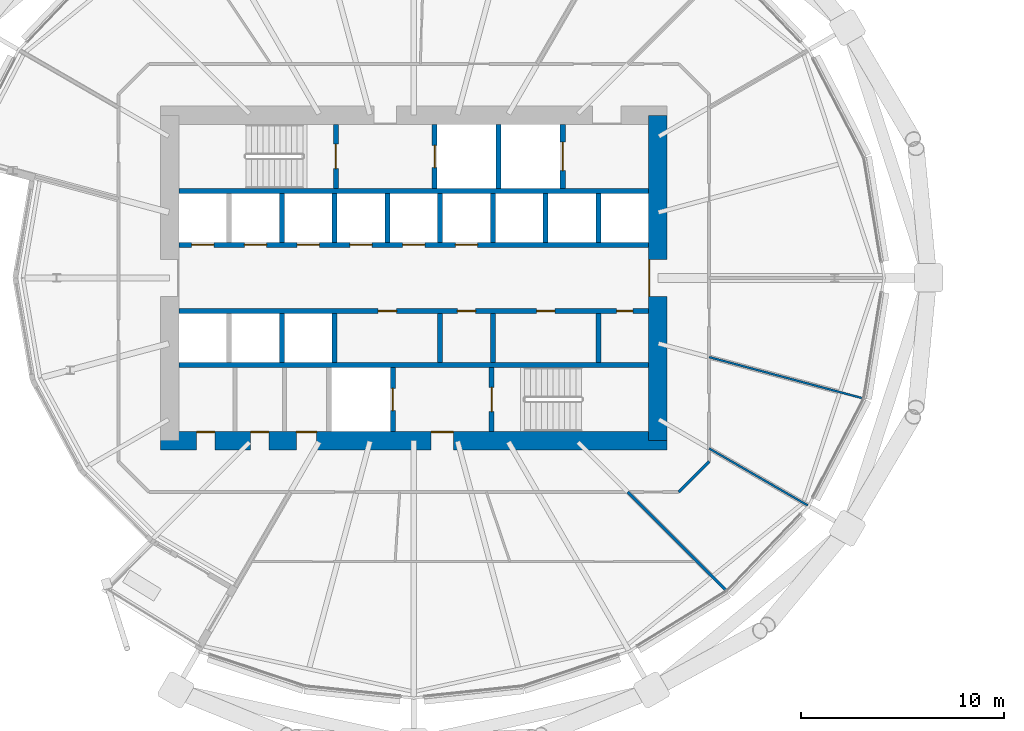
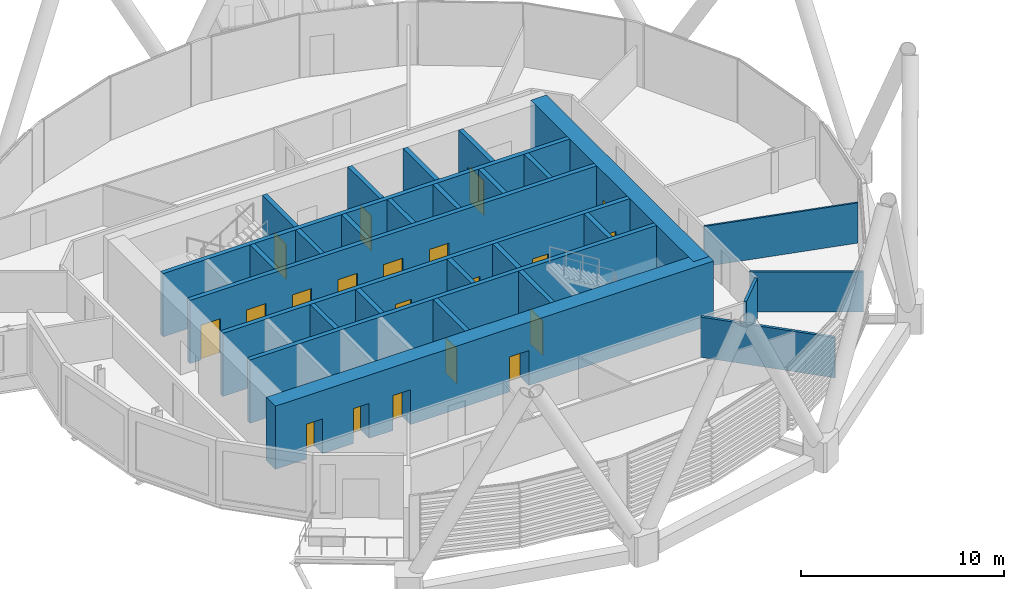
# One storey, part 25 of 40: 28 walls, 20 doors, 20 openings.
"""IFC4 building model written with IfcOpenShell, lengths in metres."""

import ifcopenshell
import ifcopenshell.guid

model = None  # the IFC model being written
_history = None  # IfcOwnerHistory: only IFC2X3 demands one
_inside = {}  # id of a spatial element -> (the spatial element, [elements in it])
_under = {}  # id of a project, library or spatial element -> (it, [spatial elements below it])
_declared = {}  # id of a project -> (the project, [libraries it declares])
_typed = {}  # id of a type object -> (the type object, [elements of that type])
_made_of = {}  # id of a material, layer set ... -> (it, [elements and type objects made of it])


def new_model(schema):
    """Start an empty IFC model of exactly this schema.

    Asked for "IFC4X3", IfcOpenShell would pick the latest addendum, in which some entities
    have other attributes; the version numbers below select the first issue.
    IFC2X3 requires an IfcOwnerHistory on every rooted entity: one is made here for all.
    """
    global model, _history
    if schema == "IFC4X3":
        model = ifcopenshell.file(schema_version=(4, 3, 0, 0))
    else:
        model = ifcopenshell.file(schema=schema)
    _inside.clear()
    _under.clear()
    _declared.clear()
    _typed.clear()
    _made_of.clear()
    _history = None
    if model.schema == "IFC2X3":
        org = make("IfcOrganization", Name="unknown")
        user = make(
            "IfcPersonAndOrganization",
            ThePerson=make("IfcPerson", FamilyName="unknown"),
            TheOrganization=org,
        )
        app = make(
            "IfcApplication",
            ApplicationDeveloper=org,
            Version="unknown",
            ApplicationFullName="unknown",
            ApplicationIdentifier="unknown",
        )
        _history = make(
            "IfcOwnerHistory",
            OwningUser=user,
            OwningApplication=app,
            ChangeAction="ADDED",
            CreationDate=0,
        )
    return model


def make(cls, **values):
    """One entity of the class cls with the attributes given. An attribute that is None is left unset."""
    return model.create_entity(
        cls, **{name: value for name, value in values.items() if value is not None}
    )


def rooted(cls, **values):
    """An entity with a GlobalId (a new one), such as an element, a storey or a relation."""
    return make(cls, GlobalId=ifcopenshell.guid.new(), OwnerHistory=_history, **values)


def si_unit(unit_type, name, prefix=None):
    """IfcSIUnit, for example si_unit("LENGTHUNIT", "METRE", prefix="MILLI")."""
    return make("IfcSIUnit", UnitType=unit_type, Prefix=prefix, Name=name)


def assignment(units):
    """IfcUnitAssignment: the units of a project."""
    return None if units is None else make("IfcUnitAssignment", Units=units)


def point(xyz):
    """IfcCartesianPoint."""
    return None if xyz is None else make("IfcCartesianPoint", Coordinates=xyz)


def direction(xyz):
    """IfcDirection."""
    return None if xyz is None else make("IfcDirection", DirectionRatios=xyz)


def frame(location, z_axis=None, x_axis=None):
    """IfcAxis2Placement3D, a coordinate frame: its origin and axes. An axis left out is left unset."""
    return make(
        "IfcAxis2Placement3D",
        Location=point(location),
        Axis=direction(z_axis),
        RefDirection=direction(x_axis),
    )


def frame_2d(location, x_axis=None):
    """IfcAxis2Placement2D, a coordinate frame in the plane: its origin and x axis."""
    return make(
        "IfcAxis2Placement2D", Location=point(location), RefDirection=direction(x_axis)
    )


def origin():
    """The frame at (0, 0, 0) with its axes left unset."""
    return frame((0.0, 0.0, 0.0))


def place(relative_to, where):
    """IfcLocalPlacement: puts the frame where relative to a parent placement (None: the world)."""
    return make(
        "IfcLocalPlacement", PlacementRelTo=relative_to, RelativePlacement=where
    )


def context(
    kind, dimensions, precision=None, world=None, true_north=None, identifier=None
):
    """IfcGeometricRepresentationContext, for example the 3D "Model" context."""
    return make(
        "IfcGeometricRepresentationContext",
        ContextIdentifier=identifier,
        ContextType=kind,
        CoordinateSpaceDimension=dimensions,
        Precision=precision,
        WorldCoordinateSystem=world,
        TrueNorth=true_north,
    )


def subcontext(parent, identifier, kind, view, scale=None):
    """IfcGeometricRepresentationSubContext, for example "Body" below "Model"."""
    return make(
        "IfcGeometricRepresentationSubContext",
        ContextIdentifier=identifier,
        ContextType=kind,
        ParentContext=parent,
        TargetScale=scale,
        TargetView=view,
    )


def project(units=None, contexts=None):
    """IfcProject with its units and contexts."""
    return rooted(
        "IfcProject",
        Name="project",
        RepresentationContexts=contexts,
        UnitsInContext=assignment(units),
    )


def spatial(cls, under=None, at=None, **own):
    """A site, building, storey or space (cls), placed at a placement, below another one or the project."""
    s = rooted(cls, ObjectPlacement=at, **own)
    if under is not None:
        _under.setdefault(under.id(), (under, []))[1].append(s)
    return s


def profile(cls, at=None, kind="AREA", **sizes):
    """A parametric profile (cls). Its sizes go by their IFC names, for example OverallWidth=200.0."""
    return make(cls, ProfileType=kind, Position=at, **sizes)


def rectangle(**sizes):
    """IfcRectangleProfileDef."""
    return profile("IfcRectangleProfileDef", **sizes)


def extrude(swept, where, along, depth):
    """IfcExtrudedAreaSolid: the profile swept, set in the frame where, extruded along a direction by depth."""
    return make(
        "IfcExtrudedAreaSolid",
        SweptArea=swept,
        Position=where,
        ExtrudedDirection=direction(along),
        Depth=depth,
    )


def shape(context_of_items, identifier, shape_type, items):
    """IfcShapeRepresentation: the items that make up one representation, for example the "Body"."""
    return make(
        "IfcShapeRepresentation",
        ContextOfItems=context_of_items,
        RepresentationIdentifier=identifier,
        RepresentationType=shape_type,
        Items=items,
    )


def material(Name=None, Category=None):
    """IfcMaterial."""
    return make("IfcMaterial", Name=Name, Category=Category)


def layer(
    of_material, thickness, ventilated=None, Name=None, Category=None, Priority=None
):
    """IfcMaterialLayer: one layer of a wall or slab, of a material (None: an air gap)."""
    return make(
        "IfcMaterialLayer",
        Material=of_material,
        LayerThickness=thickness,
        IsVentilated=ventilated,
        Name=Name,
        Category=Category,
        Priority=Priority,
    )


def layer_set(layers, Name=None):
    """IfcMaterialLayerSet."""
    return make("IfcMaterialLayerSet", MaterialLayers=layers, LayerSetName=Name)


def made_of(thing, what):
    """Note that an element or type object is made of a material, layer set ...; save() writes the relation."""
    if what is not None:
        _made_of.setdefault(what.id(), (what, []))[1].append(thing)
    return thing


def type_object(cls, material=None, **own):
    """A type object (cls), such as IfcWallType, which elements share."""
    return made_of(rooted(cls, **own), material)


def element(
    cls,
    number,
    at=None,
    inside=None,
    cuts=None,
    type_object=None,
    material=None,
    context=None,
    identifier="Body",
    shape_type=None,
    held_by="IfcProductDefinitionShape",
    body=None,
    shapes=None,
    **own,
):
    """One element of the class cls, such as IfcWall. Its Tag is "e" and its number.

    at: its placement. inside: the storey or other place that contains it. cuts: it is an
    opening in that element (IfcRelVoidsElement). A single representation is given by context,
    identifier, shape_type and body (its items); several are given by shapes. held_by: the class
    of the entity that holds the representations. save() writes the other relations.
    """
    e = rooted(cls, Tag="e%d" % number, ObjectPlacement=at, **own)
    if body is not None:
        shapes = [shape(context, identifier, shape_type, body)]
    if shapes is not None:
        e.Representation = make(held_by, Representations=shapes)
    if inside is not None:
        _inside.setdefault(inside.id(), (inside, []))[1].append(e)
    if cuts is not None:
        rooted(
            "IfcRelVoidsElement", RelatingBuildingElement=cuts, RelatedOpeningElement=e
        )
    if type_object is not None:
        _typed.setdefault(type_object.id(), (type_object, []))[1].append(e)
    return made_of(e, material)


def fill(opening, filler):
    """IfcRelFillsElement: the door or window that sits in an opening."""
    return rooted(
        "IfcRelFillsElement",
        RelatingOpeningElement=opening,
        RelatedBuildingElement=filler,
    )


def aggregate(whole, parts):
    """IfcRelAggregates: a whole, such as a stair, and the parts it consists of."""
    return rooted("IfcRelAggregates", RelatingObject=whole, RelatedObjects=parts)


def save(model, path):
    """Write the relations noted so far, then the file.

    IfcRelAggregates (storeys below a building ...), IfcRelContainedInSpatialStructure (elements
    in a storey), IfcRelDefinesByType, IfcRelAssociatesMaterial and IfcRelDeclares: one each for
    every whole, place, type object, material and project.
    """
    for whole, parts in _under.values():
        aggregate(whole, parts)
    for where, things in _inside.values():
        rooted(
            "IfcRelContainedInSpatialStructure",
            RelatedElements=things,
            RelatingStructure=where,
        )
    for kind, things in _typed.values():
        rooted("IfcRelDefinesByType", RelatedObjects=things, RelatingType=kind)
    for what, things in _made_of.values():
        rooted("IfcRelAssociatesMaterial", RelatedObjects=things, RelatingMaterial=what)
    for by, libraries in _declared.values():
        rooted("IfcRelDeclares", RelatingContext=by, RelatedDefinitions=libraries)
    model.write(path)


model = new_model("IFC4")

# Units and contexts
model_context = context("Model", 3, precision=1e-05, world=origin(), true_north=direction((0.0, 1.0)))
body_context = subcontext(model_context, "Body", "Model", "MODEL_VIEW")
ifc_project = project(units=[si_unit("LENGTHUNIT", "METRE"), si_unit("AREAUNIT", "SQUARE_METRE"), si_unit("VOLUMEUNIT", "CUBIC_METRE"), si_unit("PLANEANGLEUNIT", "RADIAN"), si_unit("MASSUNIT", "GRAM", prefix="KILO")], contexts=[model_context])

# Site, building, storey
site_placement = place(None, origin())
site = spatial("IfcSite", under=ifc_project, at=site_placement, CompositionType="ELEMENT")
building_placement = place(site_placement, origin())
building = spatial("IfcBuilding", under=site, at=building_placement, Name="Rimbun Link Towers", CompositionType="ELEMENT")
storey_placement = place(building_placement, frame((0.0, 0.0, 52.800048828125)))
storey = spatial("IfcBuildingStorey", under=building, at=storey_placement, Name="L12", CompositionType="ELEMENT", Elevation=52.800048828125)

# Wall, openings, doors
ifc_material_1 = material(Name="Concrete C60/75", Category="concrete")
ifc_layer_1 = layer(ifc_material_1, 0.89990234375)
ifc_layer_set_1 = layer_set([ifc_layer_1], Name="Core shear wall 900")
wall_type_1 = type_object("IfcWallType", Name="Core shear wall 900", PredefinedType="SHEAR", material=ifc_layer_set_1)
wall_1_placement = place(storey_placement, frame((-44.199951171875, -8.0, 0.0), z_axis=(0.0, 0.0, 1.0), x_axis=(1.0, 0.0, 0.0)))
wall_1 = element("IfcWall", 1, at=wall_1_placement, inside=storey, type_object=wall_type_1, Name="L12 T1 core wall S", PredefinedType="SHEAR", context=body_context, shape_type="SweptSolid", body=[
    extrude(rectangle(XDim=24.89990234375, YDim=0.89990234375, at=frame_2d((12.449951171875, 0.0))), origin(), (0.0, 0.0, 1.0), 3.800048828125),
])
opening_1_placement = place(wall_1_placement, frame((13.300048828125, 0.0, 0.0)))
opening_1 = element("IfcOpeningElement", 2, at=opening_1_placement, cuts=wall_1, Name="Opening C1DCF01S", PredefinedType="OPENING", context=body_context, shape_type="SweptSolid", body=[
    extrude(rectangle(XDim=1.10009765625, YDim=2.10009765625, at=frame_2d((0.550048828125, 1.050048828125))), frame((0.0, 0.4599609375, 0.0), z_axis=(0.0, -1.0, 0.0), x_axis=(1.0, 0.0, 0.0)), (0.0, 0.0, 1.0), 0.919921875),
])
opening_2_placement = place(wall_1_placement, frame((1.77490234375, 0.0, 0.0)))
opening_2 = element("IfcOpeningElement", 3, at=opening_2_placement, cuts=wall_1, Name="Opening C1DWC02S", PredefinedType="OPENING", context=body_context, shape_type="SweptSolid", body=[
    extrude(rectangle(XDim=0.89990234375, YDim=2.10009765625, at=frame_2d((0.449951171875, 1.050048828125))), frame((0.0, 0.4599609375, 0.0), z_axis=(0.0, -1.0, 0.0), x_axis=(1.0, 0.0, 0.0)), (0.0, 0.0, 1.0), 0.919921875),
])
opening_3_placement = place(wall_1_placement, frame((4.425048828125, 0.0, 0.0)))
opening_3 = element("IfcOpeningElement", 4, at=opening_3_placement, cuts=wall_1, Name="Opening C1DWC03S", PredefinedType="OPENING", context=body_context, shape_type="SweptSolid", body=[
    extrude(rectangle(XDim=0.89990234375, YDim=2.10009765625, at=frame_2d((0.449951171875, 1.050048828125))), frame((0.0, 0.4599609375, 0.0), z_axis=(0.0, -1.0, 0.0), x_axis=(1.0, 0.0, 0.0)), (0.0, 0.0, 1.0), 0.919921875),
])
opening_4_placement = place(wall_1_placement, frame((6.675048828125, 0.0, 0.0)))
opening_4 = element("IfcOpeningElement", 5, at=opening_4_placement, cuts=wall_1, Name="Opening C1DAW04S", PredefinedType="OPENING", context=body_context, shape_type="SweptSolid", body=[
    extrude(rectangle(XDim=1.0, YDim=2.10009765625, at=frame_2d((0.5, 1.050048828125))), frame((0.0, 0.4599609375, 0.0), z_axis=(0.0, -1.0, 0.0), x_axis=(1.0, 0.0, 0.0)), (0.0, 0.0, 1.0), 0.919921875),
])
ifc_material_2 = material(Name="Timber", Category="wood")
door_type_1 = type_object("IfcDoorType", Name="Accessible WC door", OperationType="SINGLE_SWING_LEFT", PredefinedType="DOOR", material=ifc_material_2)
door_1_placement = place(opening_4_placement, origin())
door_1 = element("IfcDoor", 6, at=door_1_placement, inside=storey, type_object=door_type_1, Name="L12 T1 accessible wc door", OperationType="SINGLE_SWING_LEFT", OverallHeight=2.10009765625, OverallWidth=1.0, PredefinedType="DOOR", context=body_context, shape_type="SweptSolid", body=[
    extrude(rectangle(XDim=1.0, YDim=2.10009765625, at=frame_2d((0.5, 1.050048828125))), frame((0.0, 0.4501953125, 0.0), z_axis=(0.0, -1.0, 0.0), x_axis=(1.0, 0.0, 0.0)), (0.0, 0.0, 1.0), 0.050048828125),
])
fill(opening_4, door_1)
ifc_material_3 = material(Name="Steel fire door set", Category="steel")
door_type_2 = type_object("IfcDoorType", Name="Core fire door single", OperationType="SINGLE_SWING_LEFT", PredefinedType="DOOR", material=ifc_material_3)
door_2_placement = place(opening_1_placement, origin())
door_2 = element("IfcDoor", 7, at=door_2_placement, inside=storey, type_object=door_type_2, Name="L12 T1 firefighting lobby s door", OperationType="SINGLE_SWING_RIGHT", OverallHeight=2.10009765625, OverallWidth=1.10009765625, PredefinedType="DOOR", context=body_context, shape_type="SweptSolid", body=[
    extrude(rectangle(XDim=1.10009765625, YDim=2.10009765625, at=frame_2d((0.550048828125, 1.050048828125))), frame((0.0, 0.4501953125, 0.0), z_axis=(0.0, -1.0, 0.0), x_axis=(1.0, 0.0, 0.0)), (0.0, 0.0, 1.0), 0.050048828125),
])
fill(opening_1, door_2)
ifc_material_4 = material(Name="Timber", Category="wood")
door_type_3 = type_object("IfcDoorType", Name="WC door", OperationType="SINGLE_SWING_LEFT", PredefinedType="DOOR", material=ifc_material_4)
door_3_placement = place(opening_2_placement, origin())
door_3 = element("IfcDoor", 8, at=door_3_placement, inside=storey, type_object=door_type_3, Name="L12 T1 male wc door", OperationType="SINGLE_SWING_RIGHT", OverallHeight=2.10009765625, OverallWidth=0.89990234375, PredefinedType="DOOR", context=body_context, shape_type="SweptSolid", body=[
    extrude(rectangle(XDim=0.89990234375, YDim=2.10009765625, at=frame_2d((0.449951171875, 1.050048828125))), frame((0.0, 0.4501953125, 0.0), z_axis=(0.0, -1.0, 0.0), x_axis=(1.0, 0.0, 0.0)), (0.0, 0.0, 1.0), 0.050048828125),
])
fill(opening_2, door_3)
door_4_placement = place(opening_3_placement, origin())
door_4 = element("IfcDoor", 9, at=door_4_placement, inside=storey, type_object=door_type_3, Name="L12 T1 female wc door", OperationType="SINGLE_SWING_RIGHT", OverallHeight=2.10009765625, OverallWidth=0.89990234375, PredefinedType="DOOR", context=body_context, shape_type="SweptSolid", body=[
    extrude(rectangle(XDim=0.89990234375, YDim=2.10009765625, at=frame_2d((0.449951171875, 1.050048828125))), frame((0.0, 0.4501953125, 0.0), z_axis=(0.0, -1.0, 0.0), x_axis=(1.0, 0.0, 0.0)), (0.0, 0.0, 1.0), 0.050048828125),
])
fill(opening_3, door_4)

# Wall, opening, door
wall_2_placement = place(storey_placement, frame((-19.75, -8.0, 0.0), z_axis=(0.0, 0.0, 1.0), x_axis=(0.0, 1.0, 0.0)))
wall_2 = element("IfcWall", 10, at=wall_2_placement, inside=storey, type_object=wall_type_1, Name="L12 T1 core wall E", PredefinedType="SHEAR", context=body_context, shape_type="SweptSolid", body=[
    extrude(rectangle(XDim=16.0, YDim=0.89990234375, at=frame_2d((8.0, 0.0))), origin(), (0.0, 0.0, 1.0), 3.800048828125),
])
opening_5_placement = place(wall_2_placement, frame((7.10009765625, 0.0, 0.0)))
opening_5 = element("IfcOpeningElement", 11, at=opening_5_placement, cuts=wall_2, Name="Opening C1DCL01E", PredefinedType="OPENING", context=body_context, shape_type="SweptSolid", body=[
    extrude(rectangle(XDim=1.800048828125, YDim=2.10009765625, at=frame_2d((0.89990234375, 1.050048828125))), frame((0.0, 0.4599609375, 0.0), z_axis=(0.0, -1.0, 0.0), x_axis=(1.0, 0.0, 0.0)), (0.0, 0.0, 1.0), 0.919921875),
])
ifc_material_5 = material(Name="Steel fire door set", Category="steel")
door_type_4 = type_object("IfcDoorType", Name="Core lobby door double", OperationType="DOUBLE_DOOR_SINGLE_SWING", PredefinedType="DOOR", material=ifc_material_5)
door_5_placement = place(opening_5_placement, origin())
door_5 = element("IfcDoor", 12, at=door_5_placement, inside=storey, type_object=door_type_4, Name="L12 T1 lift lobby door", OperationType="DOUBLE_DOOR_SINGLE_SWING", OverallHeight=2.10009765625, OverallWidth=1.800048828125, PredefinedType="DOOR", context=body_context, shape_type="SweptSolid", body=[
    extrude(rectangle(XDim=1.800048828125, YDim=2.10009765625, at=frame_2d((0.89990234375, 1.050048828125))), frame((0.0, 0.4501953125, 0.0), z_axis=(0.0, -1.0, 0.0), x_axis=(1.0, 0.0, 0.0)), (0.0, 0.0, 1.0), 0.050048828125),
])
fill(opening_5, door_5)

# Walls
ifc_material_6 = material(Name="Plasterboard on steel stud, mineral wool", Category="steel")
ifc_layer_2 = layer(ifc_material_6, 0.14990234375)
ifc_layer_set_2 = layer_set([ifc_layer_2], Name="Corridor wall EI 30 150 mm")
wall_type_2 = type_object("IfcWallType", Name="Corridor wall EI 30 150 mm", PredefinedType="PARTITIONING", material=ifc_layer_set_2)
wall_3_placement = place(storey_placement, frame((-18.723388671875, -10.52490234375, 0.0), z_axis=(0.0, 0.0, 1.0), x_axis=(0.707106781187, 0.707106781187, 0.0)))
element("IfcWall", 13, at=wall_3_placement, inside=storey, type_object=wall_type_2, Name="Corridor wall EI 30 150 mm", PredefinedType="PARTITIONING", context=body_context, shape_type="SweptSolid", body=[
    extrude(rectangle(XDim=2.118896484375, YDim=0.14990234375, at=frame_2d((1.0595703125, 0.0))), origin(), (0.0, 0.0, 1.0), 2.419921875),
])
ifc_material_7 = material(Name="Plasterboard on steel stud", Category="steel")
ifc_layer_3 = layer(ifc_material_7, 0.10009765625)
ifc_layer_set_3 = layer_set([ifc_layer_3], Name="Plasterboard partition 100 mm")
wall_type_3 = type_object("IfcWallType", Name="Plasterboard partition 100 mm", PredefinedType="PARTITIONING", material=ifc_layer_set_3)
wall_4_placement = place(storey_placement, frame((-12.37646484375, -11.185302734375, 0.0), z_axis=(0.0, 0.0, 1.0), x_axis=(-0.866028733576, 0.499994232587, 0.0)))
element("IfcWall", 14, at=wall_4_placement, inside=storey, type_object=wall_type_3, Name="Plasterboard partition 100 mm", PredefinedType="PARTITIONING", context=body_context, shape_type="SweptSolid", body=[
    extrude(rectangle(XDim=5.5986328125, YDim=0.10009765625, at=frame_2d((2.79931640625, 0.0))), origin(), (0.0, 0.0, 1.0), 2.419921875),
])
wall_5_placement = place(storey_placement, frame((-9.652587890625, -5.9208984375, 0.0), z_axis=(0.0, 0.0, 1.0), x_axis=(-0.965933456467, 0.258790567213, 0.0)))
element("IfcWall", 15, at=wall_5_placement, inside=storey, type_object=wall_type_3, Name="Plasterboard partition 100 mm", PredefinedType="PARTITIONING", context=body_context, shape_type="SweptSolid", body=[
    extrude(rectangle(XDim=7.839599609375, YDim=0.10009765625, at=frame_2d((3.919921875, 0.0))), origin(), (0.0, 0.0, 1.0), 2.419921875),
])
ifc_material_8 = material(Name="Concrete C60/75", Category="concrete")
ifc_layer_4 = layer(ifc_material_8, 0.25)
ifc_layer_set_4 = layer_set([ifc_layer_4], Name="Shaft wall 250")
wall_type_4 = type_object("IfcWallType", Name="Shaft wall 250", PredefinedType="SHEAR", material=ifc_layer_set_4)
for number, where, z_axis, x_axis, name in (
    (16, (-43.300048828125, 4.27490234375, 0.0), (0.0, 0.0, 1.0), (1.0, 0.0, 0.0), "L12 T1 core wall BN"),
    (17, (-43.300048828125, -4.27490234375, 0.0), (0.0, 0.0, 1.0), (1.0, 0.0, 0.0), "L12 T1 core wall BS"),
):
    element("IfcWall", number, at=place(storey_placement, frame(where, z_axis=z_axis, x_axis=x_axis)), inside=storey, type_object=wall_type_4, Name=name, PredefinedType="SHEAR", context=body_context, shape_type="SweptSolid", body=[
        extrude(rectangle(XDim=23.10009765625, YDim=0.25, at=frame_2d((11.550048828125, 0.0))), origin(), (0.0, 0.0, 1.0), 3.800048828125),
    ])

# Wall, openings, doors
wall_6_placement = place(storey_placement, frame((-43.300048828125, 1.625, 0.0), z_axis=(0.0, 0.0, 1.0), x_axis=(1.0, 0.0, 0.0)))
wall_6 = element("IfcWall", 18, at=wall_6_placement, inside=storey, type_object=wall_type_4, Name="L12 T1 core wall FN", PredefinedType="SHEAR", context=body_context, shape_type="SweptSolid", body=[
    extrude(rectangle(XDim=23.10009765625, YDim=0.25, at=frame_2d((11.550048828125, 0.0))), origin(), (0.0, 0.0, 1.0), 3.800048828125),
])
opening_6_placement = place(wall_6_placement, frame((0.622314453125, 0.0, 0.0)))
opening_6 = element("IfcOpeningElement", 19, at=opening_6_placement, cuts=wall_6, Name="Opening LD-T1-LR1", PredefinedType="OPENING", context=body_context, shape_type="SweptSolid", body=[
    extrude(rectangle(XDim=1.10009765625, YDim=2.10009765625, at=frame_2d((0.550048828125, 1.050048828125))), frame((0.0, 0.135009765625, 0.0), z_axis=(0.0, -1.0, 0.0), x_axis=(1.0, 0.0, 0.0)), (0.0, 0.0, 1.0), 0.27001953125),
])
opening_7_placement = place(wall_6_placement, frame((3.216796875, 0.0, 0.0)))
opening_7 = element("IfcOpeningElement", 20, at=opening_7_placement, cuts=wall_6, Name="Opening LD-T1-LR2", PredefinedType="OPENING", context=body_context, shape_type="SweptSolid", body=[
    extrude(rectangle(XDim=1.10009765625, YDim=2.10009765625, at=frame_2d((0.550048828125, 1.050048828125))), frame((0.0, 0.135009765625, 0.0), z_axis=(0.0, -1.0, 0.0), x_axis=(1.0, 0.0, 0.0)), (0.0, 0.0, 1.0), 0.27001953125),
])
opening_8_placement = place(wall_6_placement, frame((5.81103515625, 0.0, 0.0)))
opening_8 = element("IfcOpeningElement", 21, at=opening_8_placement, cuts=wall_6, Name="Opening LD-T1-LR3", PredefinedType="OPENING", context=body_context, shape_type="SweptSolid", body=[
    extrude(rectangle(XDim=1.10009765625, YDim=2.10009765625, at=frame_2d((0.550048828125, 1.050048828125))), frame((0.0, 0.135009765625, 0.0), z_axis=(0.0, -1.0, 0.0), x_axis=(1.0, 0.0, 0.0)), (0.0, 0.0, 1.0), 0.27001953125),
])
opening_9_placement = place(wall_6_placement, frame((8.405517578125, 0.0, 0.0)))
opening_9 = element("IfcOpeningElement", 22, at=opening_9_placement, cuts=wall_6, Name="Opening LD-T1-LR4", PredefinedType="OPENING", context=body_context, shape_type="SweptSolid", body=[
    extrude(rectangle(XDim=1.10009765625, YDim=2.10009765625, at=frame_2d((0.550048828125, 1.050048828125))), frame((0.0, 0.135009765625, 0.0), z_axis=(0.0, -1.0, 0.0), x_axis=(1.0, 0.0, 0.0)), (0.0, 0.0, 1.0), 0.27001953125),
])
opening_10_placement = place(wall_6_placement, frame((11.0, 0.0, 0.0)))
opening_10 = element("IfcOpeningElement", 23, at=opening_10_placement, cuts=wall_6, Name="Opening LD-T1-LR5", PredefinedType="OPENING", context=body_context, shape_type="SweptSolid", body=[
    extrude(rectangle(XDim=1.10009765625, YDim=2.10009765625, at=frame_2d((0.550048828125, 1.050048828125))), frame((0.0, 0.135009765625, 0.0), z_axis=(0.0, -1.0, 0.0), x_axis=(1.0, 0.0, 0.0)), (0.0, 0.0, 1.0), 0.27001953125),
])
opening_11_placement = place(wall_6_placement, frame((13.594482421875, 0.0, 0.0)))
opening_11 = element("IfcOpeningElement", 24, at=opening_11_placement, cuts=wall_6, Name="Opening LD-T1-LR6", PredefinedType="OPENING", context=body_context, shape_type="SweptSolid", body=[
    extrude(rectangle(XDim=1.10009765625, YDim=2.10009765625, at=frame_2d((0.550048828125, 1.050048828125))), frame((0.0, 0.135009765625, 0.0), z_axis=(0.0, -1.0, 0.0), x_axis=(1.0, 0.0, 0.0)), (0.0, 0.0, 1.0), 0.27001953125),
])
ifc_material_9 = material(Name="Stainless steel grade 316", Category="steel")
door_type_5 = type_object("IfcDoorType", Name="Lift landing door", OperationType="DOUBLE_DOOR_SLIDING", PredefinedType="DOOR", material=ifc_material_9)
door_6_placement = place(opening_6_placement, origin())
door_6 = element("IfcDoor", 25, at=door_6_placement, inside=storey, type_object=door_type_5, Name="L12 T1 lift LR1 landing door", OperationType="DOUBLE_DOOR_SLIDING", OverallHeight=2.10009765625, OverallWidth=1.10009765625, PredefinedType="DOOR", context=body_context, shape_type="SweptSolid", body=[
    extrude(rectangle(XDim=1.10009765625, YDim=2.10009765625, at=frame_2d((0.550048828125, 1.050048828125))), frame((0.0, 0.02490234375, 0.0), z_axis=(0.0, -1.0, 0.0), x_axis=(1.0, 0.0, 0.0)), (0.0, 0.0, 1.0), 0.050048828125),
])
fill(opening_6, door_6)
door_7_placement = place(opening_7_placement, origin())
door_7 = element("IfcDoor", 26, at=door_7_placement, inside=storey, type_object=door_type_5, Name="L12 T1 lift LR2 landing door", OperationType="DOUBLE_DOOR_SLIDING", OverallHeight=2.10009765625, OverallWidth=1.10009765625, PredefinedType="DOOR", context=body_context, shape_type="SweptSolid", body=[
    extrude(rectangle(XDim=1.10009765625, YDim=2.10009765625, at=frame_2d((0.550048828125, 1.050048828125))), frame((0.0, 0.02490234375, 0.0), z_axis=(0.0, -1.0, 0.0), x_axis=(1.0, 0.0, 0.0)), (0.0, 0.0, 1.0), 0.050048828125),
])
fill(opening_7, door_7)
door_8_placement = place(opening_8_placement, origin())
door_8 = element("IfcDoor", 27, at=door_8_placement, inside=storey, type_object=door_type_5, Name="L12 T1 lift LR3 landing door", OperationType="DOUBLE_DOOR_SLIDING", OverallHeight=2.10009765625, OverallWidth=1.10009765625, PredefinedType="DOOR", context=body_context, shape_type="SweptSolid", body=[
    extrude(rectangle(XDim=1.10009765625, YDim=2.10009765625, at=frame_2d((0.550048828125, 1.050048828125))), frame((0.0, 0.02490234375, 0.0), z_axis=(0.0, -1.0, 0.0), x_axis=(1.0, 0.0, 0.0)), (0.0, 0.0, 1.0), 0.050048828125),
])
fill(opening_8, door_8)
door_9_placement = place(opening_9_placement, origin())
door_9 = element("IfcDoor", 28, at=door_9_placement, inside=storey, type_object=door_type_5, Name="L12 T1 lift LR4 landing door", OperationType="DOUBLE_DOOR_SLIDING", OverallHeight=2.10009765625, OverallWidth=1.10009765625, PredefinedType="DOOR", context=body_context, shape_type="SweptSolid", body=[
    extrude(rectangle(XDim=1.10009765625, YDim=2.10009765625, at=frame_2d((0.550048828125, 1.050048828125))), frame((0.0, 0.02490234375, 0.0), z_axis=(0.0, -1.0, 0.0), x_axis=(1.0, 0.0, 0.0)), (0.0, 0.0, 1.0), 0.050048828125),
])
fill(opening_9, door_9)
door_10_placement = place(opening_10_placement, origin())
door_10 = element("IfcDoor", 29, at=door_10_placement, inside=storey, type_object=door_type_5, Name="L12 T1 lift LR5 landing door", OperationType="DOUBLE_DOOR_SLIDING", OverallHeight=2.10009765625, OverallWidth=1.10009765625, PredefinedType="DOOR", context=body_context, shape_type="SweptSolid", body=[
    extrude(rectangle(XDim=1.10009765625, YDim=2.10009765625, at=frame_2d((0.550048828125, 1.050048828125))), frame((0.0, 0.02490234375, 0.0), z_axis=(0.0, -1.0, 0.0), x_axis=(1.0, 0.0, 0.0)), (0.0, 0.0, 1.0), 0.050048828125),
])
fill(opening_10, door_10)
door_11_placement = place(opening_11_placement, origin())
door_11 = element("IfcDoor", 30, at=door_11_placement, inside=storey, type_object=door_type_5, Name="L12 T1 lift LR6 landing door", OperationType="DOUBLE_DOOR_SLIDING", OverallHeight=2.10009765625, OverallWidth=1.10009765625, PredefinedType="DOOR", context=body_context, shape_type="SweptSolid", body=[
    extrude(rectangle(XDim=1.10009765625, YDim=2.10009765625, at=frame_2d((0.550048828125, 1.050048828125))), frame((0.0, 0.02490234375, 0.0), z_axis=(0.0, -1.0, 0.0), x_axis=(1.0, 0.0, 0.0)), (0.0, 0.0, 1.0), 0.050048828125),
])
fill(opening_11, door_11)

wall_7_placement = place(storey_placement, frame((-43.300048828125, -1.625, 0.0), z_axis=(0.0, 0.0, 1.0), x_axis=(1.0, 0.0, 0.0)))
wall_7 = element("IfcWall", 31, at=wall_7_placement, inside=storey, type_object=wall_type_4, Name="L12 T1 core wall FS", PredefinedType="SHEAR", context=body_context, shape_type="SweptSolid", body=[
    extrude(rectangle(XDim=23.10009765625, YDim=0.25, at=frame_2d((11.550048828125, 0.0))), origin(), (0.0, 0.0, 1.0), 3.800048828125),
])
opening_12_placement = place(wall_7_placement, frame((9.802734375, 0.0, 0.0)))
opening_12 = element("IfcOpeningElement", 32, at=opening_12_placement, cuts=wall_7, Name="Opening C1DRS01FS", PredefinedType="OPENING", context=body_context, shape_type="SweptSolid", body=[
    extrude(rectangle(XDim=0.89990234375, YDim=2.10009765625, at=frame_2d((0.449951171875, 1.050048828125))), frame((0.0, 0.135009765625, 0.0), z_axis=(0.0, -1.0, 0.0), x_axis=(1.0, 0.0, 0.0)), (0.0, 0.0, 1.0), 0.27001953125),
])
opening_13_placement = place(wall_7_placement, frame((13.6943359375, 0.0, 0.0)))
opening_13 = element("IfcOpeningElement", 33, at=opening_13_placement, cuts=wall_7, Name="Opening C1DRS02FS", PredefinedType="OPENING", context=body_context, shape_type="SweptSolid", body=[
    extrude(rectangle(XDim=0.89990234375, YDim=2.10009765625, at=frame_2d((0.449951171875, 1.050048828125))), frame((0.0, 0.135009765625, 0.0), z_axis=(0.0, -1.0, 0.0), x_axis=(1.0, 0.0, 0.0)), (0.0, 0.0, 1.0), 0.27001953125),
])
opening_14_placement = place(wall_7_placement, frame((17.586181640625, 0.0, 0.0)))
opening_14 = element("IfcOpeningElement", 34, at=opening_14_placement, cuts=wall_7, Name="Opening C1DRS03FS", PredefinedType="OPENING", context=body_context, shape_type="SweptSolid", body=[
    extrude(rectangle(XDim=0.89990234375, YDim=2.10009765625, at=frame_2d((0.449951171875, 1.050048828125))), frame((0.0, 0.135009765625, 0.0), z_axis=(0.0, -1.0, 0.0), x_axis=(1.0, 0.0, 0.0)), (0.0, 0.0, 1.0), 0.27001953125),
])
opening_15_placement = place(wall_7_placement, frame((21.52783203125, 0.0, 0.0)))
opening_15 = element("IfcOpeningElement", 35, at=opening_15_placement, cuts=wall_7, Name="Opening C1DRA04FS", PredefinedType="OPENING", context=body_context, shape_type="SweptSolid", body=[
    extrude(rectangle(XDim=0.800048828125, YDim=2.10009765625, at=frame_2d((0.39990234375, 1.050048828125))), frame((0.0, 0.135009765625, 0.0), z_axis=(0.0, -1.0, 0.0), x_axis=(1.0, 0.0, 0.0)), (0.0, 0.0, 1.0), 0.27001953125),
])
ifc_material_10 = material(Name="Steel fire door set", Category="steel")
door_type_6 = type_object("IfcDoorType", Name="Core riser door", OperationType="SINGLE_SWING_LEFT", PredefinedType="DOOR", material=ifc_material_10)
door_12_placement = place(opening_12_placement, origin())
door_12 = element("IfcDoor", 36, at=door_12_placement, inside=storey, type_object=door_type_6, Name="L12 T1 mail room door", OperationType="SINGLE_SWING_LEFT", OverallHeight=2.10009765625, OverallWidth=0.89990234375, PredefinedType="DOOR", context=body_context, shape_type="SweptSolid", body=[
    extrude(rectangle(XDim=0.89990234375, YDim=2.10009765625, at=frame_2d((0.449951171875, 1.050048828125))), frame((0.0, 0.02490234375, 0.0), z_axis=(0.0, -1.0, 0.0), x_axis=(1.0, 0.0, 0.0)), (0.0, 0.0, 1.0), 0.050048828125),
])
fill(opening_12, door_12)
door_13_placement = place(opening_13_placement, origin())
door_13 = element("IfcDoor", 37, at=door_13_placement, inside=storey, type_object=door_type_6, Name="L12 T1 it cupboard door", OperationType="SINGLE_SWING_RIGHT", OverallHeight=2.10009765625, OverallWidth=0.89990234375, PredefinedType="DOOR", context=body_context, shape_type="SweptSolid", body=[
    extrude(rectangle(XDim=0.89990234375, YDim=2.10009765625, at=frame_2d((0.449951171875, 1.050048828125))), frame((0.0, 0.02490234375, 0.0), z_axis=(0.0, -1.0, 0.0), x_axis=(1.0, 0.0, 0.0)), (0.0, 0.0, 1.0), 0.050048828125),
])
fill(opening_13, door_13)
door_14_placement = place(opening_14_placement, origin())
door_14 = element("IfcDoor", 38, at=door_14_placement, inside=storey, type_object=door_type_6, Name="L12 T1 pantry door", OperationType="SINGLE_SWING_LEFT", OverallHeight=2.10009765625, OverallWidth=0.89990234375, PredefinedType="DOOR", context=body_context, shape_type="SweptSolid", body=[
    extrude(rectangle(XDim=0.89990234375, YDim=2.10009765625, at=frame_2d((0.449951171875, 1.050048828125))), frame((0.0, 0.02490234375, 0.0), z_axis=(0.0, -1.0, 0.0), x_axis=(1.0, 0.0, 0.0)), (0.0, 0.0, 1.0), 0.050048828125),
])
fill(opening_14, door_14)
ifc_material_11 = material(Name="Steel fire door set", Category="steel")
door_type_7 = type_object("IfcDoorType", Name="Riser access door 800 x 2100", OperationType="SINGLE_SWING_LEFT", PredefinedType="DOOR", material=ifc_material_11)
door_15_placement = place(opening_15_placement, origin())
door_15 = element("IfcDoor", 39, at=door_15_placement, inside=storey, type_object=door_type_7, Name="L12 T1 riser cupboard door", OperationType="SINGLE_SWING_LEFT", OverallHeight=2.10009765625, OverallWidth=0.800048828125, PredefinedType="DOOR", context=body_context, shape_type="SweptSolid", body=[
    extrude(rectangle(XDim=0.800048828125, YDim=2.10009765625, at=frame_2d((0.39990234375, 1.050048828125))), frame((0.0, 0.02490234375, 0.0), z_axis=(0.0, -1.0, 0.0), x_axis=(1.0, 0.0, 0.0)), (0.0, 0.0, 1.0), 0.050048828125),
])
fill(opening_15, door_15)

# Walls
for number, where, z_axis, x_axis, name in (
    (40, (-38.236083984375, 1.75, 0.0), (0.0, 0.0, 1.0), (0.0, 1.0, 0.0), "L12 T1 core wall DN1"),
    (41, (-35.6416015625, 1.75, 0.0), (0.0, 0.0, 1.0), (0.0, 1.0, 0.0), "L12 T1 core wall DN2"),
    (42, (-33.047119140625, 1.75, 0.0), (0.0, 0.0, 1.0), (0.0, 1.0, 0.0), "L12 T1 core wall DN3"),
    (43, (-30.452880859375, 1.75, 0.0), (0.0, 0.0, 1.0), (0.0, 1.0, 0.0), "L12 T1 core wall DN4"),
    (44, (-27.8583984375, 1.75, 0.0), (0.0, 0.0, 1.0), (0.0, 1.0, 0.0), "L12 T1 core wall DN5"),
    (45, (-25.263916015625, 1.75, 0.0), (0.0, 0.0, 1.0), (0.0, 1.0, 0.0), "L12 T1 core wall DN6"),
    (46, (-22.66943359375, 1.75, 0.0), (0.0, 0.0, 1.0), (0.0, 1.0, 0.0), "L12 T1 core wall DN7"),
    (47, (-38.236083984375, -4.14990234375, 0.0), (0.0, 0.0, 1.0), (0.0, 1.0, 0.0), "L12 T1 core wall DS1"),
    (48, (-35.6416015625, -4.14990234375, 0.0), (0.0, 0.0, 1.0), (0.0, 1.0, 0.0), "L12 T1 core wall DS2"),
    (49, (-30.452880859375, -4.14990234375, 0.0), (0.0, 0.0, 1.0), (0.0, 1.0, 0.0), "L12 T1 core wall DS4"),
    (50, (-27.8583984375, -4.14990234375, 0.0), (0.0, 0.0, 1.0), (0.0, 1.0, 0.0), "L12 T1 core wall DS5"),
    (51, (-22.66943359375, -4.14990234375, 0.0), (0.0, 0.0, 1.0), (0.0, 1.0, 0.0), "L12 T1 core wall DS7"),
):
    element("IfcWall", number, at=place(storey_placement, frame(where, z_axis=z_axis, x_axis=x_axis)), inside=storey, type_object=wall_type_4, Name=name, PredefinedType="SHEAR", context=body_context, shape_type="SweptSolid", body=[
        extrude(rectangle(XDim=2.39990234375, YDim=0.25, at=frame_2d((1.199951171875, 0.0))), origin(), (0.0, 0.0, 1.0), 3.800048828125),
    ])

# Wall, opening, door
wall_8_placement = place(storey_placement, frame((-35.574951171875, 4.39990234375, 0.0), z_axis=(0.0, 0.0, 1.0), x_axis=(0.0, 1.0, 0.0)))
wall_8 = element("IfcWall", 52, at=wall_8_placement, inside=storey, type_object=wall_type_4, Name="L12 T1 core wall A1", PredefinedType="SHEAR", context=body_context, shape_type="SweptSolid", body=[
    extrude(rectangle(XDim=3.150146484375, YDim=0.25, at=frame_2d((1.5751953125, 0.0))), origin(), (0.0, 0.0, 1.0), 3.800048828125),
])
opening_16_placement = place(wall_8_placement, frame((0.97509765625, 0.0, 0.0)))
opening_16 = element("IfcOpeningElement", 53, at=opening_16_placement, cuts=wall_8, Name="Opening C1DST01A1", PredefinedType="OPENING", context=body_context, shape_type="SweptSolid", body=[
    extrude(rectangle(XDim=1.199951171875, YDim=2.10009765625, at=frame_2d((0.60009765625, 1.050048828125))), frame((0.0, 0.135009765625, 0.0), z_axis=(0.0, -1.0, 0.0), x_axis=(1.0, 0.0, 0.0)), (0.0, 0.0, 1.0), 0.27001953125),
])
ifc_material_12 = material(Name="Steel fire door set", Category="steel")
door_type_8 = type_object("IfcDoorType", Name="Stair door", OperationType="SINGLE_SWING_LEFT", PredefinedType="DOOR", material=ifc_material_12)
door_16_placement = place(opening_16_placement, origin())
door_16 = element("IfcDoor", 54, at=door_16_placement, inside=storey, type_object=door_type_8, Name="L12 T1 stair a door", OperationType="SINGLE_SWING_RIGHT", OverallHeight=2.10009765625, OverallWidth=1.199951171875, PredefinedType="DOOR", context=body_context, shape_type="SweptSolid", body=[
    extrude(rectangle(XDim=1.199951171875, YDim=2.10009765625, at=frame_2d((0.60009765625, 1.050048828125))), frame((0.0, 0.02490234375, 0.0), z_axis=(0.0, -1.0, 0.0), x_axis=(1.0, 0.0, 0.0)), (0.0, 0.0, 1.0), 0.050048828125),
])
fill(opening_16, door_16)

wall_9_placement = place(storey_placement, frame((-30.72509765625, 4.39990234375, 0.0), z_axis=(0.0, 0.0, 1.0), x_axis=(0.0, 1.0, 0.0)))
wall_9 = element("IfcWall", 55, at=wall_9_placement, inside=storey, type_object=wall_type_4, Name="L12 T1 core wall A2", PredefinedType="SHEAR", context=body_context, shape_type="SweptSolid", body=[
    extrude(rectangle(XDim=3.150146484375, YDim=0.25, at=frame_2d((1.5751953125, 0.0))), origin(), (0.0, 0.0, 1.0), 3.800048828125),
])
opening_17_placement = place(wall_9_placement, frame((1.02490234375, 0.0, 0.0)))
opening_17 = element("IfcOpeningElement", 56, at=opening_17_placement, cuts=wall_9, Name="Opening LD-T1-FF1", PredefinedType="OPENING", context=body_context, shape_type="SweptSolid", body=[
    extrude(rectangle(XDim=1.10009765625, YDim=2.10009765625, at=frame_2d((0.550048828125, 1.050048828125))), frame((0.0, 0.135009765625, 0.0), z_axis=(0.0, -1.0, 0.0), x_axis=(1.0, 0.0, 0.0)), (0.0, 0.0, 1.0), 0.27001953125),
])
door_17_placement = place(opening_17_placement, origin())
door_17 = element("IfcDoor", 57, at=door_17_placement, inside=storey, type_object=door_type_5, Name="L12 T1 lift FF1 landing door", OperationType="DOUBLE_DOOR_SLIDING", OverallHeight=2.10009765625, OverallWidth=1.10009765625, PredefinedType="DOOR", context=body_context, shape_type="SweptSolid", body=[
    extrude(rectangle(XDim=1.10009765625, YDim=2.10009765625, at=frame_2d((0.550048828125, 1.050048828125))), frame((0.0, 0.02490234375, 0.0), z_axis=(0.0, -1.0, 0.0), x_axis=(1.0, 0.0, 0.0)), (0.0, 0.0, 1.0), 0.050048828125),
])
fill(opening_17, door_17)

# Wall
wall_10_placement = place(storey_placement, frame((-27.574951171875, 4.39990234375, 0.0), z_axis=(0.0, 0.0, 1.0), x_axis=(0.0, 1.0, 0.0)))
element("IfcWall", 58, at=wall_10_placement, inside=storey, type_object=wall_type_4, Name="L12 T1 core wall A3", PredefinedType="SHEAR", context=body_context, shape_type="SweptSolid", body=[
    extrude(rectangle(XDim=3.150146484375, YDim=0.25, at=frame_2d((1.5751953125, 0.0))), origin(), (0.0, 0.0, 1.0), 3.800048828125),
])

# Wall, opening, door
wall_11_placement = place(storey_placement, frame((-24.425048828125, 4.39990234375, 0.0), z_axis=(0.0, 0.0, 1.0), x_axis=(0.0, 1.0, 0.0)))
wall_11 = element("IfcWall", 59, at=wall_11_placement, inside=storey, type_object=wall_type_4, Name="L12 T1 core wall A4", PredefinedType="SHEAR", context=body_context, shape_type="SweptSolid", body=[
    extrude(rectangle(XDim=3.150146484375, YDim=0.25, at=frame_2d((1.5751953125, 0.0))), origin(), (0.0, 0.0, 1.0), 3.800048828125),
])
opening_18_placement = place(wall_11_placement, frame((0.875, 0.0, 0.0)))
opening_18 = element("IfcOpeningElement", 60, at=opening_18_placement, cuts=wall_11, Name="Opening LD-T1-GL1", PredefinedType="OPENING", context=body_context, shape_type="SweptSolid", body=[
    extrude(rectangle(XDim=1.39990234375, YDim=2.10009765625, at=frame_2d((0.699951171875, 1.050048828125))), frame((0.0, 0.135009765625, 0.0), z_axis=(0.0, -1.0, 0.0), x_axis=(1.0, 0.0, 0.0)), (0.0, 0.0, 1.0), 0.27001953125),
])
ifc_material_13 = material(Name="Stainless steel grade 316", Category="steel")
door_type_9 = type_object("IfcDoorType", Name="Goods lift landing door", OperationType="DOUBLE_DOOR_SLIDING", PredefinedType="DOOR", material=ifc_material_13)
door_18_placement = place(opening_18_placement, origin())
door_18 = element("IfcDoor", 61, at=door_18_placement, inside=storey, type_object=door_type_9, Name="L12 T1 lift GL1 landing door", OperationType="DOUBLE_DOOR_SLIDING", OverallHeight=2.10009765625, OverallWidth=1.39990234375, PredefinedType="DOOR", context=body_context, shape_type="SweptSolid", body=[
    extrude(rectangle(XDim=1.39990234375, YDim=2.10009765625, at=frame_2d((0.699951171875, 1.050048828125))), frame((0.0, 0.02490234375, 0.0), z_axis=(0.0, -1.0, 0.0), x_axis=(1.0, 0.0, 0.0)), (0.0, 0.0, 1.0), 0.050048828125),
])
fill(opening_18, door_18)

wall_12_placement = place(storey_placement, frame((-27.925048828125, -4.39990234375, 0.0), z_axis=(0.0, 0.0, 1.0), x_axis=(0.0, -1.0, 0.0)))
wall_12 = element("IfcWall", 62, at=wall_12_placement, inside=storey, type_object=wall_type_4, Name="L12 T1 core wall B1", PredefinedType="SHEAR", context=body_context, shape_type="SweptSolid", body=[
    extrude(rectangle(XDim=3.150146484375, YDim=0.25, at=frame_2d((1.5751953125, 0.0))), origin(), (0.0, 0.0, 1.0), 3.800048828125),
])
opening_19_placement = place(wall_12_placement, frame((0.97509765625, 0.0, 0.0)))
opening_19 = element("IfcOpeningElement", 63, at=opening_19_placement, cuts=wall_12, Name="Opening C1DST01B1", PredefinedType="OPENING", context=body_context, shape_type="SweptSolid", body=[
    extrude(rectangle(XDim=1.199951171875, YDim=2.10009765625, at=frame_2d((0.60009765625, 1.050048828125))), frame((0.0, 0.135009765625, 0.0), z_axis=(0.0, -1.0, 0.0), x_axis=(1.0, 0.0, 0.0)), (0.0, 0.0, 1.0), 0.27001953125),
])
door_19_placement = place(opening_19_placement, origin())
door_19 = element("IfcDoor", 64, at=door_19_placement, inside=storey, type_object=door_type_8, Name="L12 T1 stair b door", OperationType="SINGLE_SWING_RIGHT", OverallHeight=2.10009765625, OverallWidth=1.199951171875, PredefinedType="DOOR", context=body_context, shape_type="SweptSolid", body=[
    extrude(rectangle(XDim=1.199951171875, YDim=2.10009765625, at=frame_2d((0.60009765625, 1.050048828125))), frame((0.0, 0.02490234375, 0.0), z_axis=(0.0, -1.0, 0.0), x_axis=(1.0, 0.0, 0.0)), (0.0, 0.0, 1.0), 0.050048828125),
])
fill(opening_19, door_19)

wall_13_placement = place(storey_placement, frame((-32.77490234375, -4.39990234375, 0.0), z_axis=(0.0, 0.0, 1.0), x_axis=(0.0, -1.0, 0.0)))
wall_13 = element("IfcWall", 65, at=wall_13_placement, inside=storey, type_object=wall_type_4, Name="L12 T1 core wall B2", PredefinedType="SHEAR", context=body_context, shape_type="SweptSolid", body=[
    extrude(rectangle(XDim=3.150146484375, YDim=0.25, at=frame_2d((1.5751953125, 0.0))), origin(), (0.0, 0.0, 1.0), 3.800048828125),
])
opening_20_placement = place(wall_13_placement, frame((1.02490234375, 0.0, 0.0)))
opening_20 = element("IfcOpeningElement", 66, at=opening_20_placement, cuts=wall_13, Name="Opening LD-T1-FF2", PredefinedType="OPENING", context=body_context, shape_type="SweptSolid", body=[
    extrude(rectangle(XDim=1.10009765625, YDim=2.10009765625, at=frame_2d((0.550048828125, 1.050048828125))), frame((0.0, 0.135009765625, 0.0), z_axis=(0.0, -1.0, 0.0), x_axis=(1.0, 0.0, 0.0)), (0.0, 0.0, 1.0), 0.27001953125),
])
door_20_placement = place(opening_20_placement, origin())
door_20 = element("IfcDoor", 67, at=door_20_placement, inside=storey, type_object=door_type_5, Name="L12 T1 lift FF2 landing door", OperationType="DOUBLE_DOOR_SLIDING", OverallHeight=2.10009765625, OverallWidth=1.10009765625, PredefinedType="DOOR", context=body_context, shape_type="SweptSolid", body=[
    extrude(rectangle(XDim=1.10009765625, YDim=2.10009765625, at=frame_2d((0.550048828125, 1.050048828125))), frame((0.0, 0.02490234375, 0.0), z_axis=(0.0, -1.0, 0.0), x_axis=(1.0, 0.0, 0.0)), (0.0, 0.0, 1.0), 0.050048828125),
])
fill(opening_20, door_20)

# Wall
ifc_material_14 = material(Name="Plasterboard on steel stud, mineral wool", Category="steel")
ifc_layer_5 = layer(ifc_material_14, 0.14990234375)
ifc_layer_set_5 = layer_set([ifc_layer_5], Name="Tenancy separation wall EI 60 150 mm")
wall_type_5 = type_object("IfcWallType", Name="Tenancy separation wall EI 60 150 mm", PredefinedType="PARTITIONING", material=ifc_layer_set_5)
wall_14_placement = place(storey_placement, frame((-21.22509765625, -10.52490234375, 0.0), z_axis=(0.0, 0.0, 1.0), x_axis=(0.707106781187, -0.707106781187, 0.0)))
element("IfcWall", 68, at=wall_14_placement, inside=storey, type_object=wall_type_5, Name="Tenancy separation wall EI 60 150 mm", PredefinedType="PARTITIONING", context=body_context, shape_type="SweptSolid", body=[
    extrude(rectangle(XDim=6.845703125, YDim=0.14990234375, at=frame_2d((3.4228515625, 0.0))), origin(), (0.0, 0.0, 1.0), 2.419921875),
])

save(model, "model.ifc")
